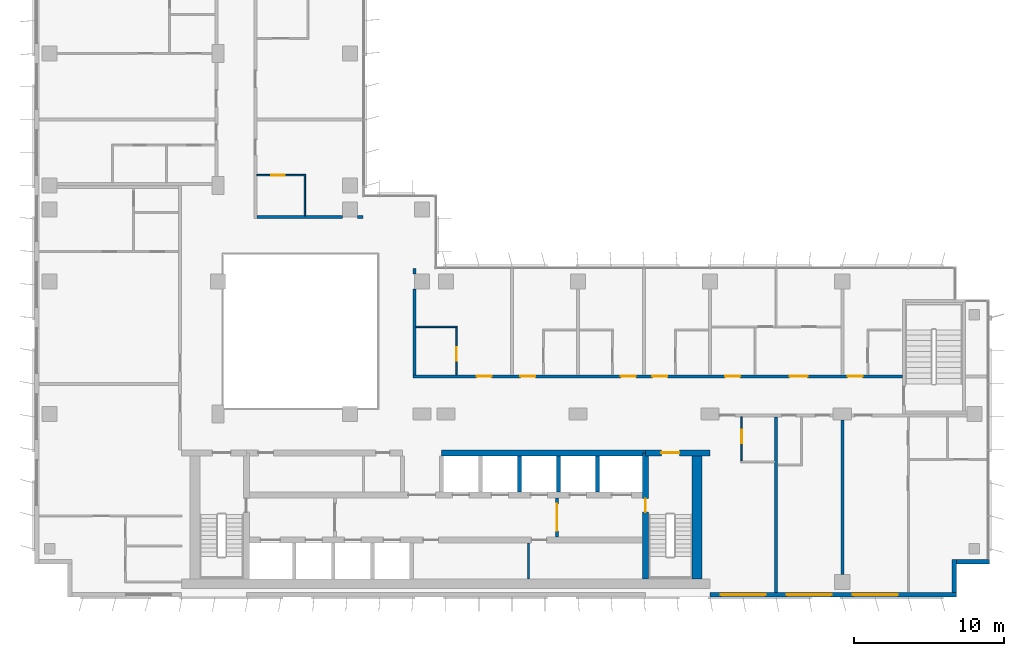
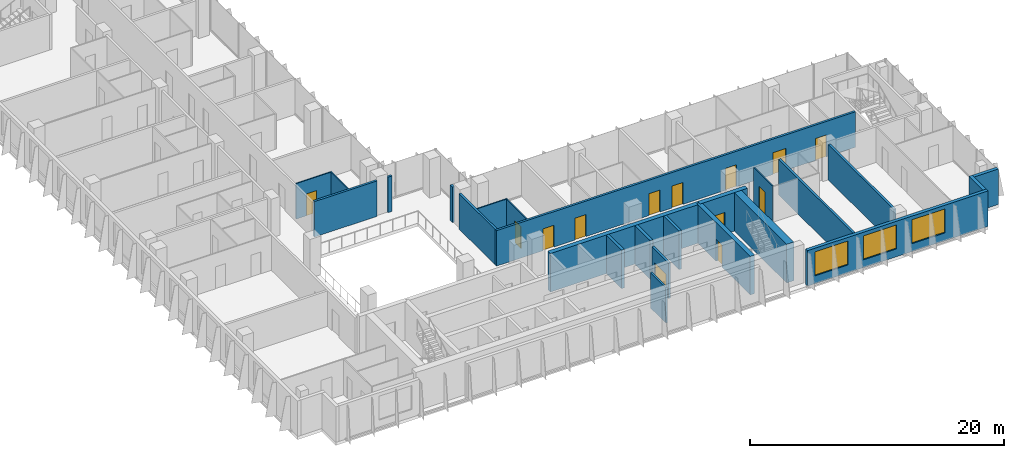
# One storey, part 14 of 21: 24 walls, 13 doors, 3 windows, 16 openings.
"""IFC4 building model written with IfcOpenShell, lengths in metres."""

from ifc_helpers import new_model, si_unit, direction, frame, frame_2d, origin, place, context, subcontext, project, spatial, rectangle, extrude, material, layer, layer_set, type_object, element, fill, save


model = new_model("IFC4")

# Units and contexts
model_context = context("Model", 3, precision=1e-05, world=origin(), true_north=direction((0.0, 1.0)))
body_context = subcontext(model_context, "Body", "Model", "MODEL_VIEW")
ifc_project = project(units=[si_unit("LENGTHUNIT", "METRE"), si_unit("AREAUNIT", "SQUARE_METRE"), si_unit("VOLUMEUNIT", "CUBIC_METRE"), si_unit("PLANEANGLEUNIT", "RADIAN"), si_unit("MASSUNIT", "GRAM", prefix="KILO")], contexts=[model_context])

# Site, building, storey
site_placement = place(None, origin())
site = spatial("IfcSite", under=ifc_project, at=site_placement, CompositionType="ELEMENT")
building_placement = place(site_placement, origin())
building = spatial("IfcBuilding", under=site, at=building_placement, Name="Kemantara Hotel Tower", CompositionType="ELEMENT")
storey_placement = place(building_placement, frame((0.0, 0.0, 211.699951171875)))
storey = spatial("IfcBuildingStorey", under=building, at=storey_placement, Name="L52", CompositionType="ELEMENT", Elevation=211.699951171875)

# Wall, openings, windows
ifc_material_1 = material(Name="Bronze anodised aluminium cladding on insulated steel stud wall", Category="steel")
ifc_layer_1 = layer(ifc_material_1, 0.300048828125)
ifc_layer_set_1 = layer_set([ifc_layer_1], Name="Bronze anodised aluminium cladding on insulated steel stud wall")
wall_type_1 = type_object("IfcWallType", Name="BRONZE METAL-CLAD EXTERNAL WALL 300", PredefinedType="STANDARD", material=ifc_layer_set_1)
wall_1_placement = place(storey_placement, frame((45.0, 0.14990234375, 0.0), z_axis=(0.0, 0.0, 1.0), x_axis=(1.0, 0.0, 0.0)))
wall_1 = element("IfcWall", 1, at=wall_1_placement, inside=storey, type_object=wall_type_1, Name="EXTERNAL WALL L52 T3-R08-3", PredefinedType="STANDARD", context=body_context, shape_type="SweptSolid", body=[
    extrude(rectangle(XDim=16.39990234375, YDim=0.300048828125, at=frame_2d((8.199951171875, 0.0))), origin(), (0.0, 0.0, 1.0), 3.400146484375),
])
opening_1_placement = place(wall_1_placement, frame((0.699951171875, 0.0, 0.75)))
opening_1 = element("IfcOpeningElement", 2, at=opening_1_placement, cuts=wall_1, Name="Opening W1", PredefinedType="OPENING", context=body_context, shape_type="SweptSolid", body=[
    extrude(rectangle(XDim=3.0, YDim=2.300048828125, at=frame_2d((1.5, 1.14990234375))), frame((0.0, 0.159912109375, 0.0), z_axis=(0.0, -1.0, 0.0), x_axis=(1.0, 0.0, 0.0)), (0.0, 0.0, 1.0), 0.320068359375),
])
opening_2_placement = place(wall_1_placement, frame((5.10009765625, 0.0, 0.75)))
opening_2 = element("IfcOpeningElement", 3, at=opening_2_placement, cuts=wall_1, Name="Opening W1", PredefinedType="OPENING", context=body_context, shape_type="SweptSolid", body=[
    extrude(rectangle(XDim=3.0, YDim=2.300048828125, at=frame_2d((1.5, 1.14990234375))), frame((0.0, 0.159912109375, 0.0), z_axis=(0.0, -1.0, 0.0), x_axis=(1.0, 0.0, 0.0)), (0.0, 0.0, 1.0), 0.320068359375),
])
opening_3_placement = place(wall_1_placement, frame((9.5, 0.0, 0.75)))
opening_3 = element("IfcOpeningElement", 4, at=opening_3_placement, cuts=wall_1, Name="Opening W1", PredefinedType="OPENING", context=body_context, shape_type="SweptSolid", body=[
    extrude(rectangle(XDim=3.0, YDim=2.300048828125, at=frame_2d((1.5, 1.14990234375))), frame((0.0, 0.159912109375, 0.0), z_axis=(0.0, -1.0, 0.0), x_axis=(1.0, 0.0, 0.0)), (0.0, 0.0, 1.0), 0.320068359375),
])
ifc_material_2 = material(Name="Low-E tinted double insulated glass in bronze anodised aluminium frame", Category="aluminium")
window_type = type_object("IfcWindowType", Name="CHICAGO WINDOW, TRIPLE PANEL 3000x2300", PartitioningType="TRIPLE_PANEL_VERTICAL", PredefinedType="WINDOW", material=ifc_material_2)
window_1_placement = place(opening_1_placement, origin())
window_1 = element("IfcWindow", 5, at=window_1_placement, inside=storey, type_object=window_type, Name="CHICAGO WINDOW L52 T3-R08-450", OverallHeight=2.300048828125, OverallWidth=3.0, PartitioningType="SINGLE_PANEL", PredefinedType="WINDOW", context=body_context, shape_type="SweptSolid", body=[
    extrude(rectangle(XDim=3.0, YDim=2.300048828125, at=frame_2d((1.5, 1.14990234375))), frame((0.0, 0.030029296875, 0.0), z_axis=(0.0, -1.0, 0.0), x_axis=(1.0, 0.0, 0.0)), (0.0, 0.0, 1.0), 0.06005859375),
])
fill(opening_1, window_1)
window_2_placement = place(opening_2_placement, origin())
window_2 = element("IfcWindow", 6, at=window_2_placement, inside=storey, type_object=window_type, Name="CHICAGO WINDOW L52 T3-R08-494", OverallHeight=2.300048828125, OverallWidth=3.0, PartitioningType="SINGLE_PANEL", PredefinedType="WINDOW", context=body_context, shape_type="SweptSolid", body=[
    extrude(rectangle(XDim=3.0, YDim=2.300048828125, at=frame_2d((1.5, 1.14990234375))), frame((0.0, 0.030029296875, 0.0), z_axis=(0.0, -1.0, 0.0), x_axis=(1.0, 0.0, 0.0)), (0.0, 0.0, 1.0), 0.06005859375),
])
fill(opening_2, window_2)
window_3_placement = place(opening_3_placement, origin())
window_3 = element("IfcWindow", 7, at=window_3_placement, inside=storey, type_object=window_type, Name="CHICAGO WINDOW L52 T3-R08-538", OverallHeight=2.300048828125, OverallWidth=3.0, PartitioningType="SINGLE_PANEL", PredefinedType="WINDOW", context=body_context, shape_type="SweptSolid", body=[
    extrude(rectangle(XDim=3.0, YDim=2.300048828125, at=frame_2d((1.5, 1.14990234375))), frame((0.0, 0.030029296875, 0.0), z_axis=(0.0, -1.0, 0.0), x_axis=(1.0, 0.0, 0.0)), (0.0, 0.0, 1.0), 0.06005859375),
])
fill(opening_3, window_3)

# Walls
wall_2_placement = place(storey_placement, frame((61.25, 0.300048828125, 0.0), z_axis=(0.0, 0.0, 1.0), x_axis=(0.0, 1.0, 0.0)))
element("IfcWall", 8, at=wall_2_placement, inside=storey, type_object=wall_type_1, Name="EXTERNAL WALL L52 T3-R09", PredefinedType="STANDARD", context=body_context, shape_type="SweptSolid", body=[
    extrude(rectangle(XDim=2.199951171875, YDim=0.300048828125, at=frame_2d((1.10009765625, 0.0))), origin(), (0.0, 0.0, 1.0), 3.400146484375),
])
wall_3_placement = place(storey_placement, frame((61.39990234375, 2.35009765625, 0.0), z_axis=(0.0, 0.0, 1.0), x_axis=(1.0, 0.0, 0.0)))
element("IfcWall", 9, at=wall_3_placement, inside=storey, type_object=wall_type_1, Name="EXTERNAL WALL L52 T3-R10", PredefinedType="STANDARD", context=body_context, shape_type="SweptSolid", body=[
    extrude(rectangle(XDim=2.2001953125, YDim=0.300048828125, at=frame_2d((1.10009765625, 0.0))), origin(), (0.0, 0.0, 1.0), 3.400146484375),
])
ifc_material_3 = material(Name="Concrete fc 60 MPa", Category="concrete")
ifc_layer_2 = layer(ifc_material_3, 0.25)
ifc_layer_set_2 = layer_set([ifc_layer_2], Name="Concrete fc 60 MPa")
wall_type_2 = type_object("IfcWallType", Name="CORE WALL 250 FC60", PredefinedType="SHEAR", material=ifc_layer_set_2)
for number, where, z_axis, x_axis, name in (
    (10, (32.300048828125, 7.0, 0.0), (0.0, 0.0, 1.0), (0.0, 1.0, 0.0), "CORE WALL CW-DN32.3"),
    (11, (34.89990234375, 7.0, 0.0), (0.0, 0.0, 1.0), (0.0, 1.0, 0.0), "CORE WALL CW-DN34.9"),
    (12, (37.5, 7.0, 0.0), (0.0, 0.0, 1.0), (0.0, 1.0, 0.0), "CORE WALL CW-DN37.5"),
):
    element("IfcWall", number, at=place(storey_placement, frame(where, z_axis=z_axis, x_axis=x_axis)), inside=storey, type_object=wall_type_2, Name=name, PredefinedType="SHEAR", context=body_context, shape_type="SweptSolid", body=[
        extrude(rectangle(XDim=2.39990234375, YDim=0.25, at=frame_2d((1.199951171875, 0.0))), origin(), (0.0, 0.0, 1.0), 3.699951171875),
    ])

# Wall, opening, door
ifc_layer_3 = layer(ifc_material_3, 0.39990234375)
ifc_layer_set_3 = layer_set([ifc_layer_3], Name="Concrete fc 60 MPa")
wall_type_3 = type_object("IfcWallType", Name="CORE WALL 400 FC60", PredefinedType="SHEAR", material=ifc_layer_set_3)
wall_4_placement = place(storey_placement, frame((40.699951171875, 9.60009765625, 0.0), z_axis=(0.0, 0.0, 1.0), x_axis=(1.0, 0.0, 0.0)))
wall_4 = element("IfcWall", 13, at=wall_4_placement, inside=storey, type_object=wall_type_3, Name="CORE WALL CW-N2", PredefinedType="SHEAR", context=body_context, shape_type="SweptSolid", body=[
    extrude(rectangle(XDim=4.300048828125, YDim=0.39990234375, at=frame_2d((2.14990234375, 0.0))), origin(), (0.0, 0.0, 1.0), 3.699951171875),
])
opening_4_placement = place(wall_4_placement, frame((1.050048828125, 0.0, 0.0)))
opening_4 = element("IfcOpeningElement", 14, at=opening_4_placement, cuts=wall_4, Name="Opening C33-ST2-C", PredefinedType="OPENING", context=body_context, shape_type="SweptSolid", body=[
    extrude(rectangle(XDim=1.199951171875, YDim=2.10009765625, at=frame_2d((0.60009765625, 1.050048828125))), frame((0.0, 0.2099609375, 0.0), z_axis=(0.0, -1.0, 0.0), x_axis=(1.0, 0.0, 0.0)), (0.0, 0.0, 1.0), 0.419921875),
])
ifc_material_4 = material(Name="Steel fire door", Category="steel")
door_type_1 = type_object("IfcDoorType", Name="Fire door FD90 1200 x 2100", OperationType="NOTDEFINED", PredefinedType="DOOR", material=ifc_material_4)
door_1_placement = place(opening_4_placement, frame((1.199951171875, 0.0, 0.0), z_axis=(0.0, 0.0, 1.0), x_axis=(-1.0, 0.0, 0.0)))
door_1 = element("IfcDoor", 15, at=door_1_placement, inside=storey, type_object=door_type_1, Name="Stair ST2 door to corridor", OperationType="SINGLE_SWING_RIGHT", OverallHeight=2.10009765625, OverallWidth=1.199951171875, PredefinedType="DOOR", context=body_context, shape_type="SweptSolid", body=[
    extrude(rectangle(XDim=1.199951171875, YDim=2.10009765625, at=frame_2d((0.60009765625, 1.050048828125))), frame((0.0, 0.02490234375, 0.0), z_axis=(0.0, -1.0, 0.0), x_axis=(1.0, 0.0, 0.0)), (0.0, 0.0, 1.0), 0.050048828125),
])
fill(opening_4, door_1)

# Wall
wall_5_placement = place(storey_placement, frame((27.10009765625, 9.60009765625, 0.0), z_axis=(0.0, 0.0, 1.0), x_axis=(1.0, 0.0, 0.0)))
element("IfcWall", 16, at=wall_5_placement, inside=storey, type_object=wall_type_3, Name="CORE WALL CW-NN2", PredefinedType="SHEAR", context=body_context, shape_type="SweptSolid", body=[
    extrude(rectangle(XDim=13.599853515625, YDim=0.39990234375, at=frame_2d((6.7998046875, 0.0))), origin(), (0.0, 0.0, 1.0), 3.699951171875),
])

# Wall, opening, door
wall_6_placement = place(storey_placement, frame((40.699951171875, 1.199951171875, 0.0), z_axis=(0.0, 0.0, 1.0), x_axis=(0.0, 1.0, 0.0)))
wall_6 = element("IfcWall", 17, at=wall_6_placement, inside=storey, type_object=wall_type_3, Name="CORE WALL CW-ST2W", PredefinedType="SHEAR", context=body_context, shape_type="SweptSolid", body=[
    extrude(rectangle(XDim=8.400146484375, YDim=0.39990234375, at=frame_2d((4.2001953125, 0.0))), origin(), (0.0, 0.0, 1.0), 3.699951171875),
])
opening_5_placement = place(wall_6_placement, frame((4.449951171875, 0.0, 0.0)))
opening_5 = element("IfcOpeningElement", 18, at=opening_5_placement, cuts=wall_6, Name="Opening C33-ST2-F", PredefinedType="OPENING", context=body_context, shape_type="SweptSolid", body=[
    extrude(rectangle(XDim=0.89990234375, YDim=2.10009765625, at=frame_2d((0.449951171875, 1.050048828125))), frame((0.0, 0.2099609375, 0.0), z_axis=(0.0, -1.0, 0.0), x_axis=(1.0, 0.0, 0.0)), (0.0, 0.0, 1.0), 0.419921875),
])
door_type_2 = type_object("IfcDoorType", Name="Fire door FD90 900 x 2100", OperationType="NOTDEFINED", PredefinedType="DOOR", material=ifc_material_4)
door_2_placement = place(opening_5_placement, frame((0.89990234375, 0.0, 0.0), z_axis=(0.0, 0.0, 1.0), x_axis=(-1.0, 0.0, 0.0)))
door_2 = element("IfcDoor", 19, at=door_2_placement, inside=storey, type_object=door_type_2, Name="Stair ST2 door to firefighting lobby", OperationType="SINGLE_SWING_LEFT", OverallHeight=2.10009765625, OverallWidth=0.89990234375, PredefinedType="DOOR", context=body_context, shape_type="SweptSolid", body=[
    extrude(rectangle(XDim=0.89990234375, YDim=2.10009765625, at=frame_2d((0.449951171875, 1.050048828125))), frame((0.0, 0.02490234375, 0.0), z_axis=(0.0, -1.0, 0.0), x_axis=(1.0, 0.0, 0.0)), (0.0, 0.0, 1.0), 0.050048828125),
])
fill(opening_5, door_2)

# Wall
ifc_layer_4 = layer(ifc_material_3, 0.64990234375)
ifc_layer_set_4 = layer_set([ifc_layer_4], Name="Concrete fc 60 MPa")
wall_type_4 = type_object("IfcWallType", Name="CORE WALL 650 FC60", PredefinedType="SHEAR", material=ifc_layer_set_4)
wall_7_placement = place(storey_placement, frame((44.125, 1.199951171875, 0.0), z_axis=(0.0, 0.0, 1.0), x_axis=(0.0, 1.0, 0.0)))
element("IfcWall", 20, at=wall_7_placement, inside=storey, type_object=wall_type_4, Name="CORE WALL CW-E", PredefinedType="SHEAR", context=body_context, shape_type="SweptSolid", body=[
    extrude(rectangle(XDim=8.60009765625, YDim=0.64990234375, at=frame_2d((4.300048828125, 0.0))), origin(), (0.0, 0.0, 1.0), 3.699951171875),
])

# Wall, openings, doors
ifc_material_5 = material(Name="Gypsum board partition, steel studs and mineral wool, 200 mm", Category="steel")
ifc_layer_5 = layer(ifc_material_5, 0.199951171875)
ifc_layer_set_5 = layer_set([ifc_layer_5], Name="Gypsum board partition, steel studs and mineral wool, 200 mm")
wall_type_5 = type_object("IfcWallType", Name="CORRIDOR WALL 200", PredefinedType="PARTITIONING", material=ifc_layer_set_5)
wall_8_placement = place(storey_placement, frame((25.199951171875, 14.699951171875, 0.0), z_axis=(0.0, 0.0, 1.0), x_axis=(1.0, 0.0, 0.0)))
wall_8 = element("IfcWall", 21, at=wall_8_placement, inside=storey, type_object=wall_type_5, Name="CORRIDOR WALL 200 006", PredefinedType="PARTITIONING", context=body_context, shape_type="SweptSolid", body=[
    extrude(rectangle(XDim=32.60009765625, YDim=0.199951171875, at=frame_2d((16.300048828125, 0.0))), origin(), (0.0, 0.0, 1.0), 3.400146484375),
])
opening_6_placement = place(wall_8_placement, frame((4.25, 0.0, 0.0)))
opening_6 = element("IfcOpeningElement", 22, at=opening_6_placement, cuts=wall_8, Name="Opening F25-009", PredefinedType="OPENING", context=body_context, shape_type="SweptSolid", body=[
    extrude(rectangle(XDim=1.0, YDim=2.10009765625, at=frame_2d((0.5, 1.050048828125))), frame((0.0, 0.10986328125, 0.0), z_axis=(0.0, -1.0, 0.0), x_axis=(1.0, 0.0, 0.0)), (0.0, 0.0, 1.0), 0.219970703125),
])
opening_7_placement = place(wall_8_placement, frame((7.14990234375, 0.0, 0.0)))
opening_7 = element("IfcOpeningElement", 23, at=opening_7_placement, cuts=wall_8, Name="Opening F25-011", PredefinedType="OPENING", context=body_context, shape_type="SweptSolid", body=[
    extrude(rectangle(XDim=1.0, YDim=2.10009765625, at=frame_2d((0.5, 1.050048828125))), frame((0.0, 0.10986328125, 0.0), z_axis=(0.0, -1.0, 0.0), x_axis=(1.0, 0.0, 0.0)), (0.0, 0.0, 1.0), 0.219970703125),
])
opening_8_placement = place(wall_8_placement, frame((13.85009765625, 0.0, 0.0)))
opening_8 = element("IfcOpeningElement", 24, at=opening_8_placement, cuts=wall_8, Name="Opening F25-013", PredefinedType="OPENING", context=body_context, shape_type="SweptSolid", body=[
    extrude(rectangle(XDim=1.0, YDim=2.10009765625, at=frame_2d((0.5, 1.050048828125))), frame((0.0, 0.10986328125, 0.0), z_axis=(0.0, -1.0, 0.0), x_axis=(1.0, 0.0, 0.0)), (0.0, 0.0, 1.0), 0.219970703125),
])
opening_9_placement = place(wall_8_placement, frame((15.949951171875, 0.0, 0.0)))
opening_9 = element("IfcOpeningElement", 25, at=opening_9_placement, cuts=wall_8, Name="Opening F25-015", PredefinedType="OPENING", context=body_context, shape_type="SweptSolid", body=[
    extrude(rectangle(XDim=1.0, YDim=2.10009765625, at=frame_2d((0.5, 1.050048828125))), frame((0.0, 0.10986328125, 0.0), z_axis=(0.0, -1.0, 0.0), x_axis=(1.0, 0.0, 0.0)), (0.0, 0.0, 1.0), 0.219970703125),
])
opening_10_placement = place(wall_8_placement, frame((20.800048828125, 0.0, 0.0)))
opening_10 = element("IfcOpeningElement", 26, at=opening_10_placement, cuts=wall_8, Name="Opening F25-017", PredefinedType="OPENING", context=body_context, shape_type="SweptSolid", body=[
    extrude(rectangle(XDim=1.0, YDim=2.10009765625, at=frame_2d((0.5, 1.050048828125))), frame((0.0, 0.10986328125, 0.0), z_axis=(0.0, -1.0, 0.0), x_axis=(1.0, 0.0, 0.0)), (0.0, 0.0, 1.0), 0.219970703125),
])
opening_11_placement = place(wall_8_placement, frame((25.10009765625, 0.0, 0.0)))
opening_11 = element("IfcOpeningElement", 27, at=opening_11_placement, cuts=wall_8, Name="Opening F25-018", PredefinedType="OPENING", context=body_context, shape_type="SweptSolid", body=[
    extrude(rectangle(XDim=1.199951171875, YDim=2.10009765625, at=frame_2d((0.60009765625, 1.050048828125))), frame((0.0, 0.10986328125, 0.0), z_axis=(0.0, -1.0, 0.0), x_axis=(1.0, 0.0, 0.0)), (0.0, 0.0, 1.0), 0.219970703125),
])
opening_12_placement = place(wall_8_placement, frame((28.949951171875, 0.0, 0.0)))
opening_12 = element("IfcOpeningElement", 28, at=opening_12_placement, cuts=wall_8, Name="Opening F25-021", PredefinedType="OPENING", context=body_context, shape_type="SweptSolid", body=[
    extrude(rectangle(XDim=1.0, YDim=2.10009765625, at=frame_2d((0.5, 1.050048828125))), frame((0.0, 0.10986328125, 0.0), z_axis=(0.0, -1.0, 0.0), x_axis=(1.0, 0.0, 0.0)), (0.0, 0.0, 1.0), 0.219970703125),
])
ifc_material_6 = material(Name="Hardwood veneer door leaf with steel frame", Category="steel")
door_type_3 = type_object("IfcDoorType", Name="GUEST ROOM DOOR 1000 X 2100 FD30S", OperationType="NOTDEFINED", PredefinedType="DOOR", material=ifc_material_6)
door_3_placement = place(opening_6_placement, origin())
door_3 = element("IfcDoor", 29, at=door_3_placement, inside=storey, type_object=door_type_3, Name="GUEST ROOM DOOR F25-009", OperationType="SINGLE_SWING_RIGHT", OverallHeight=2.10009765625, OverallWidth=1.0, PredefinedType="DOOR", context=body_context, shape_type="SweptSolid", body=[
    extrude(rectangle(XDim=1.0, YDim=2.10009765625, at=frame_2d((0.5, 1.050048828125))), frame((0.0, 0.02490234375, 0.0), z_axis=(0.0, -1.0, 0.0), x_axis=(1.0, 0.0, 0.0)), (0.0, 0.0, 1.0), 0.050048828125),
])
fill(opening_6, door_3)
door_4_placement = place(opening_7_placement, origin())
door_4 = element("IfcDoor", 30, at=door_4_placement, inside=storey, type_object=door_type_3, Name="GUEST ROOM DOOR F25-011", OperationType="SINGLE_SWING_LEFT", OverallHeight=2.10009765625, OverallWidth=1.0, PredefinedType="DOOR", context=body_context, shape_type="SweptSolid", body=[
    extrude(rectangle(XDim=1.0, YDim=2.10009765625, at=frame_2d((0.5, 1.050048828125))), frame((0.0, 0.02490234375, 0.0), z_axis=(0.0, -1.0, 0.0), x_axis=(1.0, 0.0, 0.0)), (0.0, 0.0, 1.0), 0.050048828125),
])
fill(opening_7, door_4)
door_5_placement = place(opening_8_placement, origin())
door_5 = element("IfcDoor", 31, at=door_5_placement, inside=storey, type_object=door_type_3, Name="GUEST ROOM DOOR F25-013", OperationType="SINGLE_SWING_RIGHT", OverallHeight=2.10009765625, OverallWidth=1.0, PredefinedType="DOOR", context=body_context, shape_type="SweptSolid", body=[
    extrude(rectangle(XDim=1.0, YDim=2.10009765625, at=frame_2d((0.5, 1.050048828125))), frame((0.0, 0.02490234375, 0.0), z_axis=(0.0, -1.0, 0.0), x_axis=(1.0, 0.0, 0.0)), (0.0, 0.0, 1.0), 0.050048828125),
])
fill(opening_8, door_5)
door_6_placement = place(opening_9_placement, origin())
door_6 = element("IfcDoor", 32, at=door_6_placement, inside=storey, type_object=door_type_3, Name="GUEST ROOM DOOR F25-015", OperationType="SINGLE_SWING_LEFT", OverallHeight=2.10009765625, OverallWidth=1.0, PredefinedType="DOOR", context=body_context, shape_type="SweptSolid", body=[
    extrude(rectangle(XDim=1.0, YDim=2.10009765625, at=frame_2d((0.5, 1.050048828125))), frame((0.0, 0.02490234375, 0.0), z_axis=(0.0, -1.0, 0.0), x_axis=(1.0, 0.0, 0.0)), (0.0, 0.0, 1.0), 0.050048828125),
])
fill(opening_9, door_6)
door_7_placement = place(opening_12_placement, origin())
door_7 = element("IfcDoor", 33, at=door_7_placement, inside=storey, type_object=door_type_3, Name="GUEST ROOM DOOR F25-021", OperationType="SINGLE_SWING_LEFT", OverallHeight=2.10009765625, OverallWidth=1.0, PredefinedType="DOOR", context=body_context, shape_type="SweptSolid", body=[
    extrude(rectangle(XDim=1.0, YDim=2.10009765625, at=frame_2d((0.5, 1.050048828125))), frame((0.0, 0.02490234375, 0.0), z_axis=(0.0, -1.0, 0.0), x_axis=(1.0, 0.0, 0.0)), (0.0, 0.0, 1.0), 0.050048828125),
])
fill(opening_12, door_7)
door_type_4 = type_object("IfcDoorType", Name="GUEST ROOM DOOR 1200 X 2100 FD30S", OperationType="NOTDEFINED", PredefinedType="DOOR", material=ifc_material_6)
door_8_placement = place(opening_11_placement, origin())
door_8 = element("IfcDoor", 34, at=door_8_placement, inside=storey, type_object=door_type_4, Name="GUEST ROOM DOOR F25-018", OperationType="SINGLE_SWING_RIGHT", OverallHeight=2.10009765625, OverallWidth=1.199951171875, PredefinedType="DOOR", context=body_context, shape_type="SweptSolid", body=[
    extrude(rectangle(XDim=1.199951171875, YDim=2.10009765625, at=frame_2d((0.60009765625, 1.050048828125))), frame((0.0, 0.02490234375, 0.0), z_axis=(0.0, -1.0, 0.0), x_axis=(1.0, 0.0, 0.0)), (0.0, 0.0, 1.0), 0.050048828125),
])
fill(opening_11, door_8)
ifc_material_7 = material(Name="Steel door leaf with steel frame", Category="steel")
door_type_5 = type_object("IfcDoorType", Name="SERVICE ROOM DOOR 1000 X 2100 FD60", OperationType="NOTDEFINED", PredefinedType="DOOR", material=ifc_material_7)
door_9_placement = place(opening_10_placement, origin())
door_9 = element("IfcDoor", 35, at=door_9_placement, inside=storey, type_object=door_type_5, Name="SERVICE ROOM DOOR F25-017", OperationType="SINGLE_SWING_LEFT", OverallHeight=2.10009765625, OverallWidth=1.0, PredefinedType="DOOR", context=body_context, shape_type="SweptSolid", body=[
    extrude(rectangle(XDim=1.0, YDim=2.10009765625, at=frame_2d((0.5, 1.050048828125))), frame((0.0, 0.02490234375, 0.0), z_axis=(0.0, -1.0, 0.0), x_axis=(1.0, 0.0, 0.0)), (0.0, 0.0, 1.0), 0.050048828125),
])
fill(opening_10, door_9)

# Walls
ifc_layer_6 = layer(ifc_material_5, 0.199951171875)
ifc_layer_set_6 = layer_set([ifc_layer_6], Name="Gypsum board partition, steel studs and mineral wool, 200 mm")
wall_type_6 = type_object("IfcWallType", Name="GUEST ROOM PARTY WALL 200", PredefinedType="PARTITIONING", material=ifc_layer_set_6)
wall_9_placement = place(storey_placement, frame((49.39990234375, 0.31005859375, 0.0), z_axis=(0.0, 0.0, 1.0), x_axis=(0.0, 1.0, 0.0)))
element("IfcWall", 36, at=wall_9_placement, inside=storey, type_object=wall_type_6, Name="GUEST ROOM PARTY WALL 200 003", PredefinedType="PARTITIONING", context=body_context, shape_type="SweptSolid", body=[
    extrude(rectangle(XDim=11.68994140625, YDim=0.199951171875, at=frame_2d((5.844970703125, 0.0))), origin(), (0.0, 0.0, 1.0), 3.400146484375),
])
wall_10_placement = place(storey_placement, frame((53.800048828125, 1.5, 0.0), z_axis=(0.0, 0.0, 1.0), x_axis=(0.0, 1.0, 0.0)))
element("IfcWall", 37, at=wall_10_placement, inside=storey, type_object=wall_type_6, Name="GUEST ROOM PARTY WALL 200 004", PredefinedType="PARTITIONING", context=body_context, shape_type="SweptSolid", body=[
    extrude(rectangle(XDim=10.2998046875, YDim=0.199951171875, at=frame_2d((5.14990234375, 0.0))), origin(), (0.0, 0.0, 1.0), 3.400146484375),
])
wall_11_placement = place(storey_placement, frame((25.300048828125, 14.800048828125, 0.0), z_axis=(0.0, 0.0, 1.0), x_axis=(0.0, 1.0, 0.0)))
element("IfcWall", 38, at=wall_11_placement, inside=storey, type_object=wall_type_6, Name="GUEST ROOM PARTY WALL 200 008", PredefinedType="PARTITIONING", context=body_context, shape_type="SweptSolid", body=[
    extrude(rectangle(XDim=5.699951171875, YDim=0.199951171875, at=frame_2d((2.85009765625, 0.0))), origin(), (0.0, 0.0, 1.0), 3.400146484375),
])
wall_12_placement = place(storey_placement, frame((25.300048828125, 21.5, 0.0), z_axis=(0.0, 0.0, 1.0), x_axis=(0.0, 1.0, 0.0)))
element("IfcWall", 39, at=wall_12_placement, inside=storey, type_object=wall_type_6, Name="GUEST ROOM PARTY WALL 200 009", PredefinedType="PARTITIONING", context=body_context, shape_type="SweptSolid", body=[
    extrude(rectangle(XDim=0.3701171875, YDim=0.199951171875, at=frame_2d((0.18505859375, 0.0))), origin(), (0.0, 0.0, 1.0), 3.400146484375),
])
wall_13_placement = place(storey_placement, frame((14.800048828125, 25.300048828125, 0.0), z_axis=(0.0, 0.0, 1.0), x_axis=(1.0, 0.0, 0.0)))
element("IfcWall", 40, at=wall_13_placement, inside=storey, type_object=wall_type_6, Name="GUEST ROOM PARTY WALL 200 028", PredefinedType="PARTITIONING", context=body_context, shape_type="SweptSolid", body=[
    extrude(rectangle(XDim=5.699951171875, YDim=0.199951171875, at=frame_2d((2.85009765625, 0.0))), origin(), (0.0, 0.0, 1.0), 3.400146484375),
])
wall_14_placement = place(storey_placement, frame((21.5, 25.300048828125, 0.0), z_axis=(0.0, 0.0, 1.0), x_axis=(1.0, 0.0, 0.0)))
element("IfcWall", 41, at=wall_14_placement, inside=storey, type_object=wall_type_6, Name="GUEST ROOM PARTY WALL 200 029", PredefinedType="PARTITIONING", context=body_context, shape_type="SweptSolid", body=[
    extrude(rectangle(XDim=0.3701171875, YDim=0.199951171875, at=frame_2d((0.18505859375, 0.0))), origin(), (0.0, 0.0, 1.0), 3.400146484375),
])
ifc_material_8 = material(Name="Gypsum board partition")
ifc_layer_7 = layer(ifc_material_8, 0.14990234375)
ifc_layer_set_7 = layer_set([ifc_layer_7], Name="Gypsum board partition")
wall_type_7 = type_object("IfcWallType", Name="Gypsum board partition 150 mm", PredefinedType="PARTITIONING", material=ifc_layer_set_7)
wall_15_placement = place(storey_placement, frame((32.89990234375, 1.199951171875, 0.0), z_axis=(0.0, 0.0, 1.0), x_axis=(0.0, 1.0, 0.0)))
element("IfcWall", 42, at=wall_15_placement, inside=storey, type_object=wall_type_7, Name="Core room partition", PredefinedType="PARTITIONING", context=body_context, shape_type="SweptSolid", body=[
    extrude(rectangle(XDim=2.400146484375, YDim=0.14990234375, at=frame_2d((1.2001953125, 0.0))), origin(), (0.0, 0.0, 1.0), 3.400146484375),
])

# Wall, opening, door
ifc_material_9 = material(Name="Gypsum board shaft wall")
ifc_layer_8 = layer(ifc_material_9, 0.199951171875)
ifc_layer_set_8 = layer_set([ifc_layer_8], Name="Gypsum board shaft wall")
wall_type_8 = type_object("IfcWallType", Name="Gypsum board shaft wall 200 mm", PredefinedType="PARTITIONING", material=ifc_layer_set_8)
wall_16_placement = place(storey_placement, frame((34.800048828125, 4.0, 0.0), z_axis=(0.0, 0.0, 1.0), x_axis=(0.0, 1.0, 0.0)))
wall_16 = element("IfcWall", 43, at=wall_16_placement, inside=storey, type_object=wall_type_8, Name="Firefighting lobby partition east", PredefinedType="PARTITIONING", context=body_context, shape_type="SweptSolid", body=[
    extrude(rectangle(XDim=2.60009765625, YDim=0.199951171875, at=frame_2d((1.300048828125, 0.0))), origin(), (0.0, 0.0, 1.0), 3.400146484375),
])
opening_13_placement = place(wall_16_placement, frame((0.39990234375, 0.0, 0.0)))
opening_13 = element("IfcOpeningElement", 44, at=opening_13_placement, cuts=wall_16, Name="Opening C33-FFE", PredefinedType="OPENING", context=body_context, shape_type="SweptSolid", body=[
    extrude(rectangle(XDim=1.800048828125, YDim=2.10009765625, at=frame_2d((0.89990234375, 1.050048828125))), frame((0.0, 0.10986328125, 0.0), z_axis=(0.0, -1.0, 0.0), x_axis=(1.0, 0.0, 0.0)), (0.0, 0.0, 1.0), 0.219970703125),
])
door_type_6 = type_object("IfcDoorType", Name="Fire door pair FD60 1800 x 2100", OperationType="DOUBLE_DOOR_SINGLE_SWING", PredefinedType="DOOR", material=ifc_material_4)
door_10_placement = place(opening_13_placement, frame((1.800048828125, 0.0, 0.0), z_axis=(0.0, 0.0, 1.0), x_axis=(-1.0, 0.0, 0.0)))
door_10 = element("IfcDoor", 45, at=door_10_placement, inside=storey, type_object=door_type_6, Name="Firefighting lobby door east", OperationType="DOUBLE_DOOR_SINGLE_SWING", OverallHeight=2.10009765625, OverallWidth=1.800048828125, PredefinedType="DOOR", context=body_context, shape_type="SweptSolid", body=[
    extrude(rectangle(XDim=1.800048828125, YDim=2.10009765625, at=frame_2d((0.89990234375, 1.050048828125))), frame((0.0, 0.02490234375, 0.0), z_axis=(0.0, -1.0, 0.0), x_axis=(1.0, 0.0, 0.0)), (0.0, 0.0, 1.0), 0.050048828125),
])
fill(opening_13, door_10)

ifc_material_10 = material(Name="Gypsum board partition on steel studs, 100 mm", Category="steel")
ifc_layer_9 = layer(ifc_material_10, 0.10009765625)
ifc_layer_set_9 = layer_set([ifc_layer_9], Name="Gypsum board partition on steel studs, 100 mm")
wall_type_9 = type_object("IfcWallType", Name="ROOM PARTITION 100", PredefinedType="PARTITIONING", material=ifc_layer_set_9)
wall_17_placement = place(storey_placement, frame((47.10009765625, 12.0, 0.0), z_axis=(0.0, 0.0, 1.0), x_axis=(0.0, -1.0, 0.0)))
wall_17 = element("IfcWall", 46, at=wall_17_placement, inside=storey, type_object=wall_type_9, Name="ROOM PARTITION 100 033", PredefinedType="PARTITIONING", context=body_context, shape_type="SweptSolid", body=[
    extrude(rectangle(XDim=2.949951171875, YDim=0.10009765625, at=frame_2d((1.47509765625, 0.0))), origin(), (0.0, 0.0, 1.0), 3.400146484375),
])
opening_14_placement = place(wall_17_placement, frame((0.85009765625, 0.0, 0.0)))
opening_14 = element("IfcOpeningElement", 47, at=opening_14_placement, cuts=wall_17, Name="Opening F25-002", PredefinedType="OPENING", context=body_context, shape_type="SweptSolid", body=[
    extrude(rectangle(XDim=0.89990234375, YDim=2.10009765625, at=frame_2d((0.449951171875, 1.050048828125))), frame((0.0, 0.06005859375, 0.0), z_axis=(0.0, -1.0, 0.0), x_axis=(1.0, 0.0, 0.0)), (0.0, 0.0, 1.0), 0.1201171875),
])
door_type_7 = type_object("IfcDoorType", Name="BATHROOM DOOR 900 X 2100", OperationType="NOTDEFINED", PredefinedType="DOOR", material=ifc_material_6)
door_11_placement = place(opening_14_placement, origin())
door_11 = element("IfcDoor", 48, at=door_11_placement, inside=storey, type_object=door_type_7, Name="BATHROOM DOOR F25-002", OperationType="SINGLE_SWING_LEFT", OverallHeight=2.10009765625, OverallWidth=0.89990234375, PredefinedType="DOOR", context=body_context, shape_type="SweptSolid", body=[
    extrude(rectangle(XDim=0.89990234375, YDim=2.10009765625, at=frame_2d((0.449951171875, 1.050048828125))), frame((0.0, 0.02490234375, 0.0), z_axis=(0.0, -1.0, 0.0), x_axis=(1.0, 0.0, 0.0)), (0.0, 0.0, 1.0), 0.050048828125),
])
fill(opening_14, door_11)

# Wall
wall_18_placement = place(storey_placement, frame((25.39990234375, 18.0, 0.0), z_axis=(0.0, 0.0, 1.0), x_axis=(1.0, 0.0, 0.0)))
element("IfcWall", 49, at=wall_18_placement, inside=storey, type_object=wall_type_9, Name="ROOM PARTITION 100 039", PredefinedType="PARTITIONING", context=body_context, shape_type="SweptSolid", body=[
    extrude(rectangle(XDim=2.75, YDim=0.10009765625, at=frame_2d((1.375, 0.0))), origin(), (0.0, 0.0, 1.0), 3.400146484375),
])

# Wall, opening, door
wall_19_placement = place(storey_placement, frame((28.10009765625, 14.800048828125, 0.0), z_axis=(0.0, 0.0, 1.0), x_axis=(0.0, 1.0, 0.0)))
wall_19 = element("IfcWall", 50, at=wall_19_placement, inside=storey, type_object=wall_type_9, Name="ROOM PARTITION 100 041", PredefinedType="PARTITIONING", context=body_context, shape_type="SweptSolid", body=[
    extrude(rectangle(XDim=3.14990234375, YDim=0.10009765625, at=frame_2d((1.574951171875, 0.0))), origin(), (0.0, 0.0, 1.0), 3.400146484375),
])
opening_15_placement = place(wall_19_placement, frame((0.949951171875, 0.0, 0.0)))
opening_15 = element("IfcOpeningElement", 51, at=opening_15_placement, cuts=wall_19, Name="Opening F25-010", PredefinedType="OPENING", context=body_context, shape_type="SweptSolid", body=[
    extrude(rectangle(XDim=0.89990234375, YDim=2.10009765625, at=frame_2d((0.449951171875, 1.050048828125))), frame((0.0, 0.06005859375, 0.0), z_axis=(0.0, -1.0, 0.0), x_axis=(1.0, 0.0, 0.0)), (0.0, 0.0, 1.0), 0.1201171875),
])
door_12_placement = place(opening_15_placement, origin())
door_12 = element("IfcDoor", 52, at=door_12_placement, inside=storey, type_object=door_type_7, Name="BATHROOM DOOR F25-010", OperationType="SINGLE_SWING_LEFT", OverallHeight=2.10009765625, OverallWidth=0.89990234375, PredefinedType="DOOR", context=body_context, shape_type="SweptSolid", body=[
    extrude(rectangle(XDim=0.89990234375, YDim=2.10009765625, at=frame_2d((0.449951171875, 1.050048828125))), frame((0.0, 0.02490234375, 0.0), z_axis=(0.0, -1.0, 0.0), x_axis=(1.0, 0.0, 0.0)), (0.0, 0.0, 1.0), 0.050048828125),
])
fill(opening_15, door_12)

# Wall
wall_20_placement = place(storey_placement, frame((18.0, 25.39990234375, 0.0), z_axis=(0.0, 0.0, 1.0), x_axis=(0.0, 1.0, 0.0)))
element("IfcWall", 53, at=wall_20_placement, inside=storey, type_object=wall_type_9, Name="ROOM PARTITION 100 070", PredefinedType="PARTITIONING", context=body_context, shape_type="SweptSolid", body=[
    extrude(rectangle(XDim=2.75, YDim=0.10009765625, at=frame_2d((1.375, 0.0))), origin(), (0.0, 0.0, 1.0), 3.400146484375),
])

# Wall, opening, door
wall_21_placement = place(storey_placement, frame((17.949951171875, 28.10009765625, 0.0), z_axis=(0.0, 0.0, 1.0), x_axis=(-1.0, 0.0, 0.0)))
wall_21 = element("IfcWall", 54, at=wall_21_placement, inside=storey, type_object=wall_type_9, Name="ROOM PARTITION 100 072", PredefinedType="PARTITIONING", context=body_context, shape_type="SweptSolid", body=[
    extrude(rectangle(XDim=3.14990234375, YDim=0.10009765625, at=frame_2d((1.574951171875, 0.0))), origin(), (0.0, 0.0, 1.0), 3.400146484375),
])
opening_16_placement = place(wall_21_placement, frame((1.300048828125, 0.0, 0.0)))
opening_16 = element("IfcOpeningElement", 55, at=opening_16_placement, cuts=wall_21, Name="Opening F25-045", PredefinedType="OPENING", context=body_context, shape_type="SweptSolid", body=[
    extrude(rectangle(XDim=0.89990234375, YDim=2.10009765625, at=frame_2d((0.449951171875, 1.050048828125))), frame((0.0, 0.06005859375, 0.0), z_axis=(0.0, -1.0, 0.0), x_axis=(1.0, 0.0, 0.0)), (0.0, 0.0, 1.0), 0.1201171875),
])
door_13_placement = place(opening_16_placement, origin())
door_13 = element("IfcDoor", 56, at=door_13_placement, inside=storey, type_object=door_type_7, Name="BATHROOM DOOR F25-045", OperationType="SINGLE_SWING_RIGHT", OverallHeight=2.10009765625, OverallWidth=0.89990234375, PredefinedType="DOOR", context=body_context, shape_type="SweptSolid", body=[
    extrude(rectangle(XDim=0.89990234375, YDim=2.10009765625, at=frame_2d((0.449951171875, 1.050048828125))), frame((0.0, 0.02490234375, 0.0), z_axis=(0.0, -1.0, 0.0), x_axis=(1.0, 0.0, 0.0)), (0.0, 0.0, 1.0), 0.050048828125),
])
fill(opening_16, door_13)

save(model, "model.ifc")
